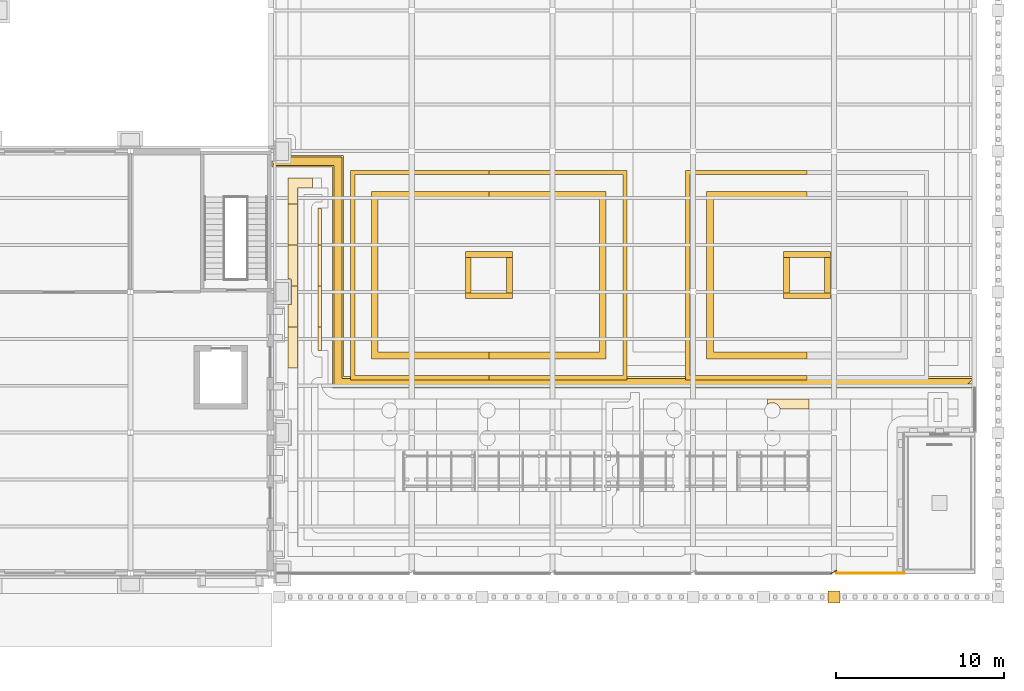
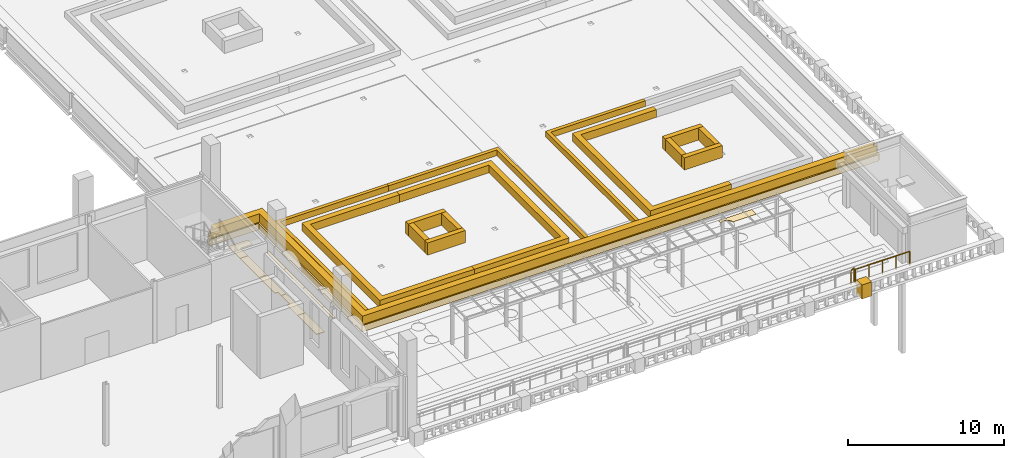
# One storey, part 72 of 76: 27 coverings, 2 railings.
"""IFC4 building model written with IfcOpenShell, lengths in metres."""

from ifc_helpers import new_model, si_unit, direction, frame, origin, origin_2d, place, context, subcontext, project, spatial, polyline, rectangle, circle, outline, extrude, material, layer, layer_set, type_object, element, save


model = new_model("IFC4")

# Units and contexts
model_context = context("Model", 3, precision=1e-05, world=origin(), true_north=direction((0.0, 1.0)))
body_context = subcontext(model_context, "Body", "Model", "MODEL_VIEW")
ifc_project = project(units=[si_unit("LENGTHUNIT", "METRE"), si_unit("AREAUNIT", "SQUARE_METRE"), si_unit("VOLUMEUNIT", "CUBIC_METRE"), si_unit("PLANEANGLEUNIT", "RADIAN"), si_unit("MASSUNIT", "GRAM", prefix="KILO")], contexts=[model_context])

# Site, building, storey
site_placement = place(None, origin())
site = spatial("IfcSite", under=ifc_project, at=site_placement, CompositionType="ELEMENT")
building_placement = place(site_placement, origin())
building = spatial("IfcBuilding", under=site, at=building_placement, Name="Sava Quay Ferry Terminal", CompositionType="ELEMENT")
storey_placement = place(building_placement, frame((0.0, 0.0, 6.0)))
storey = spatial("IfcBuildingStorey", under=building, at=storey_placement, Name="L01", CompositionType="ELEMENT", Elevation=6.0)

# Coverings
ifc_material_1 = material(Name="Limestone Mutalj", Category="masonry")
ifc_layer_1 = layer(ifc_material_1, 0.699951171875)
ifc_layer_set_1 = layer_set([ifc_layer_1], Name="Limestone Mutalj")
covering_type_1 = type_object("IfcCoveringType", Name="Balustrade pier 700", PredefinedType="MOLDING", material=ifc_layer_set_1)
covering_1_placement = place(storey_placement, frame((159.60009765625, 23.7900390625, 0.0), z_axis=(0.0, 0.0, 1.0), x_axis=(1.0, 0.0, 0.0)))
element("IfcCovering", 1, at=covering_1_placement, inside=storey, type_object=covering_type_1, Name="Balustrade pier", PredefinedType="MOLDING", context=body_context, shape_type="SweptSolid", body=[
    extrude(rectangle(XDim=0.699951171875, YDim=0.699951171875, at=origin_2d()), origin(), (0.0, 0.0, 1.0), 1.10009765625),
])
ifc_material_2 = material(Name="Foliage clipped hedge")
ifc_layer_2 = layer(ifc_material_2, 0.39990234375)
ifc_layer_set_2 = layer_set([ifc_layer_2], Name="Foliage clipped hedge")
covering_type_2 = type_object("IfcCoveringType", Name="Box hedge 400 from the slab", PredefinedType="CLADDING", material=ifc_layer_set_2)
covering_2_placement = place(storey_placement, origin())
element("IfcCovering", 2, at=covering_2_placement, inside=storey, type_object=covering_type_2, Name="Box hedge", PredefinedType="CLADDING", context=body_context, shape_type="SweptSolid", body=[
    extrude(outline(polyline([(132.0, 38.0), (139.0, 38.0), (139.0, 38.39990234375), (132.39990234375, 38.39990234375), (132.39990234375, 47.60009765625), (139.0, 47.60009765625), (139.0, 48.0), (132.0, 48.0), (132.0, 38.0)])), origin(), (0.0, 0.0, 1.0), 0.60009765625),
])
covering_3_placement = place(storey_placement, origin())
element("IfcCovering", 3, at=covering_3_placement, inside=storey, type_object=covering_type_2, Name="Box hedge", PredefinedType="CLADDING", context=body_context, shape_type="SweptSolid", body=[
    extrude(outline(polyline([(146.0, 38.0), (146.0, 48.0), (139.0, 48.0), (139.0, 47.60009765625), (145.60009765625, 47.60009765625), (145.60009765625, 38.39990234375), (139.0, 38.39990234375), (139.0, 38.0), (146.0, 38.0)])), origin(), (0.0, 0.0, 1.0), 0.60009765625),
])
covering_4_placement = place(storey_placement, origin())
element("IfcCovering", 4, at=covering_4_placement, inside=storey, type_object=covering_type_2, Name="Box hedge", PredefinedType="CLADDING", context=body_context, shape_type="SweptSolid", body=[
    extrude(outline(polyline([(152.0, 38.0), (158.0, 38.0), (158.0, 38.39990234375), (152.39990234375, 38.39990234375), (152.39990234375, 47.60009765625), (158.0, 47.60009765625), (158.0, 48.0), (152.0, 48.0), (152.0, 38.0)])), origin(), (0.0, 0.0, 1.0), 0.60009765625),
])
ifc_material_3 = material(Name="Limestone Mutalj", Category="masonry")
ifc_layer_3 = layer(ifc_material_3, 0.030029296875)
ifc_layer_set_3 = layer_set([ifc_layer_3], Name="Limestone Mutalj")
covering_type_3 = type_object("IfcCoveringType", Name="Court paving tile 30", PredefinedType="FLOORING", material=ifc_layer_set_3)
covering_5_placement = place(storey_placement, origin())
element("IfcCovering", 5, at=covering_5_placement, inside=storey, type_object=covering_type_3, Name="Limestone paving tile", PredefinedType="FLOORING", context=body_context, shape_type="SweptSolid", body=[
    extrude(outline(polyline([(127.590087890625, 42.35009765625), (127.2099609375, 42.35009765625), (127.2099609375, 41.248046875), (127.2060546875, 41.241943359375), (127.199951171875, 41.239990234375), (127.0, 41.239990234375), (127.0, 39.89990234375), (127.590087890625, 39.89990234375), (127.590087890625, 42.35009765625)])), origin(), (0.0, 0.0, 1.0), 0.030029296875),
])
covering_6_placement = place(storey_placement, origin())
element("IfcCovering", 6, at=covering_6_placement, inside=storey, type_object=covering_type_3, Name="Limestone paving tile", PredefinedType="FLOORING", context=body_context, shape_type="SweptSolid", body=[
    extrude(outline(polyline([(127.590087890625, 47.25), (127.0, 47.25), (127.0, 44.800048828125), (127.590087890625, 44.800048828125), (127.590087890625, 47.25)])), origin(), (0.0, 0.0, 1.0), 0.030029296875),
])
covering_7_placement = place(storey_placement, origin())
element("IfcCovering", 7, at=covering_7_placement, inside=storey, type_object=covering_type_3, Name="Limestone paving tile", PredefinedType="FLOORING", context=body_context, shape_type="SweptSolid", body=[
    extrude(outline(polyline([(129.0, 39.89990234375), (128.81005859375, 39.89990234375), (128.81005859375, 38.510009765625), (129.0, 38.510009765625), (129.0, 39.89990234375)])), origin(), (0.0, 0.0, 1.0), 0.030029296875),
])
covering_8_placement = place(storey_placement, origin())
element("IfcCovering", 8, at=covering_8_placement, inside=storey, type_object=covering_type_3, Name="Limestone paving tile", PredefinedType="FLOORING", context=body_context, shape_type="SweptSolid", body=[
    extrude(outline(polyline([(129.0, 44.800048828125), (128.81005859375, 44.800048828125), (128.81005859375, 42.35009765625), (129.0, 42.35009765625), (129.0, 44.800048828125)])), origin(), (0.0, 0.0, 1.0), 0.030029296875),
])
covering_9_placement = place(storey_placement, origin())
element("IfcCovering", 9, at=covering_9_placement, inside=storey, type_object=covering_type_3, Name="Limestone paving tile", PredefinedType="FLOORING", context=body_context, shape_type="SweptSolid", body=[
    extrude(outline(polyline([(158.117919921875, 35.0), (158.117919921875, 35.60009765625), (155.64697265625, 35.60009765625), (155.64697265625, 35.291015625), (155.669921875, 35.30810546875), (155.7080078125, 35.330078125), (155.7490234375, 35.35009765625), (155.7919921875, 35.364990234375), (155.8349609375, 35.3759765625), (155.87890625, 35.383056640625), (155.925048828125, 35.385009765625), (155.970947265625, 35.383056640625), (156.014892578125, 35.3759765625), (156.05810546875, 35.364990234375), (156.10107421875, 35.35009765625), (156.14208984375, 35.330078125), (156.180908203125, 35.306884765625), (156.216064453125, 35.281005859375), (156.25, 35.2509765625), (156.281005859375, 35.216064453125), (156.306884765625, 35.180908203125), (156.330078125, 35.14208984375), (156.35009765625, 35.10107421875), (156.364990234375, 35.05810546875), (156.3759765625, 35.014892578125), (156.3779296875, 35.0), (158.117919921875, 35.0)])), origin(), (0.0, 0.0, 1.0), 0.030029296875),
])
ifc_material_4 = material(Name="Red sandstone Vrsac", Category="masonry")
ifc_layer_4 = layer(ifc_material_4, 0.030029296875)
ifc_layer_set_4 = layer_set([ifc_layer_4], Name="Red sandstone Vrsac")
covering_type_4 = type_object("IfcCoveringType", Name="Court paving tile sandstone 30", PredefinedType="FLOORING", material=ifc_layer_set_4)
covering_10_placement = place(storey_placement, origin())
element("IfcCovering", 10, at=covering_10_placement, inside=storey, type_object=covering_type_4, Name="Sandstone paving tile", PredefinedType="FLOORING", context=body_context, shape_type="SweptSolid", body=[
    extrude(outline(polyline([(127.590087890625, 39.89990234375), (127.0, 39.89990234375), (127.0, 37.449951171875), (127.590087890625, 37.449951171875), (127.590087890625, 39.89990234375)])), origin(), (0.0, 0.0, 1.0), 0.030029296875),
])
covering_11_placement = place(storey_placement, origin())
element("IfcCovering", 11, at=covering_11_placement, inside=storey, type_object=covering_type_4, Name="Sandstone paving tile", PredefinedType="FLOORING", context=body_context, shape_type="SweptSolid", body=[
    extrude(outline(polyline([(127.590087890625, 44.800048828125), (127.0, 44.800048828125), (127.0, 42.760009765625), (127.199951171875, 42.760009765625), (127.2060546875, 42.758056640625), (127.208984375, 42.7548828125), (127.2099609375, 42.75), (127.2099609375, 42.35009765625), (127.590087890625, 42.35009765625), (127.590087890625, 44.800048828125)])), origin(), (0.0, 0.0, 1.0), 0.030029296875),
])
covering_12_placement = place(storey_placement, origin())
element("IfcCovering", 12, at=covering_12_placement, inside=storey, type_object=covering_type_4, Name="Sandstone paving tile", PredefinedType="FLOORING", context=body_context, shape_type="SweptSolid", body=[
    extrude(outline(polyline([(128.470947265625, 48.2099609375), (128.470947265625, 48.800048828125), (127.0, 48.800048828125), (127.0, 47.25), (127.590087890625, 47.25), (127.590087890625, 48.199951171875), (127.591064453125, 48.205078125), (127.593994140625, 48.2080078125), (127.60009765625, 48.2099609375), (128.470947265625, 48.2099609375)])), origin(), (0.0, 0.0, 1.0), 0.030029296875),
])
covering_13_placement = place(storey_placement, origin())
element("IfcCovering", 13, at=covering_13_placement, inside=storey, type_object=covering_type_4, Name="Sandstone paving tile", PredefinedType="FLOORING", context=body_context, shape_type="SweptSolid", body=[
    extrude(outline(polyline([(129.0, 42.35009765625), (128.81005859375, 42.35009765625), (128.81005859375, 39.89990234375), (129.0, 39.89990234375), (129.0, 42.35009765625)])), origin(), (0.0, 0.0, 1.0), 0.030029296875),
])
covering_14_placement = place(storey_placement, origin())
element("IfcCovering", 14, at=covering_14_placement, inside=storey, type_object=covering_type_4, Name="Sandstone paving tile", PredefinedType="FLOORING", context=body_context, shape_type="SweptSolid", body=[
    extrude(outline(polyline([(128.81005859375, 44.800048828125), (129.0, 44.800048828125), (129.0, 46.989990234375), (128.81005859375, 46.989990234375), (128.81005859375, 44.800048828125)])), origin(), (0.0, 0.0, 1.0), 0.030029296875),
])

# Railings
ifc_material_5 = material(Name="Steel S355", Category="steel")
railing_type = type_object("IfcRailingType", Name="Edge guard 1100", PredefinedType="GUARDRAIL", material=ifc_material_5)
railing_1_placement = place(storey_placement, frame((159.760009765625, 25.3701171875, 0.0)))
element("IfcRailing", 15, at=railing_1_placement, inside=storey, type_object=railing_type, Name="Terrace edge guard", PredefinedType="GUARDRAIL", context=body_context, shape_type="SweptSolid", body=[
    extrude(circle(Radius=0.02392578125, at=origin_2d()), frame((0.0, 0.0, 1.076171875), z_axis=(-0.882967432059, -0.469434248776, 0.0), x_axis=(0.469434248776, -0.882967432059, 0.0)), (0.0, 0.0, 1.0), 0.362548828125),
    extrude(circle(Radius=0.02099609375, at=origin_2d()), origin(), (0.0, 0.0, 1.0), 1.052001953125),
    extrude(circle(Radius=0.02099609375, at=origin_2d()), frame((-0.320068359375, -0.170166015625, 0.0)), (0.0, 0.0, 1.0), 1.052001953125),
])
railing_2_placement = place(storey_placement, frame((163.800048828125, 25.199951171875, 0.0)))
element("IfcRailing", 16, at=railing_2_placement, inside=storey, type_object=railing_type, Name="Terrace edge guard", PredefinedType="GUARDRAIL", context=body_context, shape_type="SweptSolid", body=[
    extrude(circle(Radius=0.02392578125, at=origin_2d()), frame((0.0, 0.0, 1.076171875), z_axis=(-1.0, 0.0, 0.0), x_axis=(0.0, -1.0, 0.0)), (0.0, 0.0, 1.0), 4.0400390625),
    extrude(circle(Radius=0.02099609375, at=origin_2d()), origin(), (0.0, 0.0, 1.0), 1.052001953125),
    extrude(circle(Radius=0.02099609375, at=origin_2d()), frame((-1.010009765625, 0.0, 0.0)), (0.0, 0.0, 1.0), 1.052001953125),
    extrude(circle(Radius=0.02099609375, at=origin_2d()), frame((-2.02001953125, 0.0, 0.0)), (0.0, 0.0, 1.0), 1.052001953125),
    extrude(circle(Radius=0.02099609375, at=origin_2d()), frame((-3.030029296875, 0.0, 0.0)), (0.0, 0.0, 1.0), 1.052001953125),
    extrude(circle(Radius=0.02099609375, at=origin_2d()), frame((-4.0400390625, 0.0, 0.0)), (0.0, 0.0, 1.0), 1.052001953125),
])

# Coverings
ifc_material_6 = material(Name="Foliage clipped hedge")
ifc_layer_5 = layer(ifc_material_6, 0.47998046875)
ifc_layer_set_5 = layer_set([ifc_layer_5], Name="Foliage clipped hedge")
covering_type_5 = type_object("IfcCoveringType", Name="Green roof planter hedge 480", PredefinedType="CLADDING", material=ifc_layer_set_5)
covering_15_placement = place(storey_placement, frame((0.0, 0.0, 0.5)))
element("IfcCovering", 17, at=covering_15_placement, inside=storey, type_object=covering_type_5, Name="Green roof planter hedge", PredefinedType="CLADDING", context=body_context, shape_type="SweptSolid", body=[
    extrude(outline(polyline([(126.14990234375, 49.699951171875), (126.14990234375, 49.56005859375), (129.760009765625, 49.56005859375), (129.760009765625, 36.360107421875), (167.826904296875, 36.360107421875), (167.844970703125, 36.386962890625), (167.85791015625, 36.402099609375), (167.873046875, 36.4150390625), (167.90087890625, 36.43408203125), (167.90087890625, 36.5048828125), (167.593994140625, 36.5048828125), (167.89990234375, 36.81103515625), (167.89990234375, 36.840087890625), (130.239990234375, 36.840087890625), (130.239990234375, 50.0400390625), (126.449951171875, 50.0400390625), (126.449951171875, 49.699951171875), (126.14990234375, 49.699951171875)])), origin(), (0.0, 0.0, 1.0), 0.64990234375),
])
ifc_material_7 = material(Name="Limestone Mutalj", Category="masonry")
ifc_layer_6 = layer(ifc_material_7, 0.679931640625)
ifc_layer_set_6 = layer_set([ifc_layer_6], Name="Limestone Mutalj")
covering_type_6 = type_object("IfcCoveringType", Name="Green roof planter wall 680", PredefinedType="CLADDING", material=ifc_layer_set_6)
covering_16_placement = place(storey_placement, origin())
element("IfcCovering", 18, at=covering_16_placement, inside=storey, type_object=covering_type_6, Name="Green roof planter wall", PredefinedType="CLADDING", context=body_context, shape_type="SweptSolid", body=[
    extrude(outline(polyline([(130.340087890625, 50.139892578125), (126.35009765625, 50.139892578125), (126.35009765625, 49.800048828125), (126.10009765625, 49.800048828125), (126.10009765625, 49.804931640625), (126.050048828125, 49.804931640625), (126.050048828125, 49.4599609375), (129.659912109375, 49.4599609375), (129.659912109375, 36.260009765625), (167.89990234375, 36.260009765625), (167.902099609375, 36.280029296875), (167.907958984375, 36.298095703125), (167.9169921875, 36.31591796875), (167.928955078125, 36.3310546875), (167.944091796875, 36.343017578125), (167.9619140625, 36.35205078125), (167.97998046875, 36.35791015625), (168.0009765625, 36.360107421875), (168.0009765625, 36.60498046875), (167.8349609375, 36.60498046875), (168.0, 36.77001953125), (168.0, 36.93994140625), (130.340087890625, 36.93994140625), (130.340087890625, 50.139892578125)])), origin(), (0.0, 0.0, 1.0), 0.5),
])
ifc_material_8 = material(Name="Limestone Mutalj", Category="masonry")
ifc_layer_7 = layer(ifc_material_8, 0.25)
ifc_layer_set_7 = layer_set([ifc_layer_7], Name="Limestone Mutalj")
covering_type_7 = type_object("IfcCoveringType", Name="Planter kerb 250", PredefinedType="CLADDING", material=ifc_layer_set_7)
covering_17_placement = place(storey_placement, origin())
element("IfcCovering", 19, at=covering_17_placement, inside=storey, type_object=covering_type_7, Name="Planter kerb", PredefinedType="CLADDING", context=body_context, shape_type="SweptSolid", body=[
    extrude(outline(polyline([(130.75, 49.25), (130.75, 36.75), (139.0, 36.75), (139.0, 37.0), (131.0, 37.0), (131.0, 49.0), (139.0, 49.0), (139.0, 49.25), (130.75, 49.25)])), origin(), (0.0, 0.0, 1.0), 0.449951171875),
])
covering_18_placement = place(storey_placement, origin())
element("IfcCovering", 20, at=covering_18_placement, inside=storey, type_object=covering_type_7, Name="Planter kerb", PredefinedType="CLADDING", context=body_context, shape_type="SweptSolid", body=[
    extrude(outline(polyline([(147.25, 49.25), (139.0, 49.25), (139.0, 49.0), (147.0, 49.0), (147.0, 37.0), (139.0, 37.0), (139.0, 36.75), (147.25, 36.75), (147.25, 49.25)])), origin(), (0.0, 0.0, 1.0), 0.449951171875),
])
covering_19_placement = place(storey_placement, origin())
element("IfcCovering", 21, at=covering_19_placement, inside=storey, type_object=covering_type_7, Name="Planter kerb", PredefinedType="CLADDING", context=body_context, shape_type="SweptSolid", body=[
    extrude(outline(polyline([(150.75, 49.25), (150.75, 36.75), (158.0, 36.75), (158.0, 37.0), (151.0, 37.0), (151.0, 49.0), (158.0, 49.0), (158.0, 49.25), (150.75, 49.25)])), origin(), (0.0, 0.0, 1.0), 0.449951171875),
])
ifc_material_9 = material(Name="Limestone Mutalj", Category="masonry")
ifc_layer_8 = layer(ifc_material_9, 0.35009765625)
ifc_layer_set_8 = layer_set([ifc_layer_8], Name="Limestone Mutalj")
covering_type_8 = type_object("IfcCoveringType", Name="Tree pit kerb 350", PredefinedType="CLADDING", material=ifc_layer_set_8)
for number, where, z_axis, x_axis, name in (
    (22, (139.0, 44.22509765625, 0.0), (0.0, 0.0, 1.0), (1.0, 0.0, 0.0), "Tree pit kerb"),
    (23, (139.0, 41.77490234375, 0.0), (0.0, 0.0, 1.0), (1.0, 0.0, 0.0), "Tree pit kerb"),
):
    element("IfcCovering", number, at=place(storey_placement, frame(where, z_axis=z_axis, x_axis=x_axis)), inside=storey, type_object=covering_type_8, Name=name, PredefinedType="CLADDING", context=body_context, shape_type="SweptSolid", body=[
        extrude(rectangle(XDim=2.800048828125, YDim=0.35009765625, at=origin_2d()), origin(), (0.0, 0.0, 1.0), 0.949951171875),
    ])
for number, where, z_axis, x_axis, name in (
    (24, (140.22509765625, 43.0, 0.0), (0.0, 0.0, 1.0), (1.0, 0.0, 0.0), "Tree pit kerb"),
    (25, (137.77490234375, 43.0, 0.0), (0.0, 0.0, 1.0), (1.0, 0.0, 0.0), "Tree pit kerb"),
):
    element("IfcCovering", number, at=place(storey_placement, frame(where, z_axis=z_axis, x_axis=x_axis)), inside=storey, type_object=covering_type_8, Name=name, PredefinedType="CLADDING", context=body_context, shape_type="SweptSolid", body=[
        extrude(rectangle(XDim=0.35009765625, YDim=2.10009765625, at=origin_2d()), origin(), (0.0, 0.0, 1.0), 0.949951171875),
    ])
for number, where, z_axis, x_axis, name in (
    (26, (158.0, 44.22509765625, 0.0), (0.0, 0.0, 1.0), (1.0, 0.0, 0.0), "Tree pit kerb"),
    (27, (158.0, 41.77490234375, 0.0), (0.0, 0.0, 1.0), (1.0, 0.0, 0.0), "Tree pit kerb"),
):
    element("IfcCovering", number, at=place(storey_placement, frame(where, z_axis=z_axis, x_axis=x_axis)), inside=storey, type_object=covering_type_8, Name=name, PredefinedType="CLADDING", context=body_context, shape_type="SweptSolid", body=[
        extrude(rectangle(XDim=2.800048828125, YDim=0.35009765625, at=origin_2d()), origin(), (0.0, 0.0, 1.0), 0.949951171875),
    ])
for number, where, z_axis, x_axis, name in (
    (28, (159.22509765625, 43.0, 0.0), (0.0, 0.0, 1.0), (1.0, 0.0, 0.0), "Tree pit kerb"),
    (29, (156.77490234375, 43.0, 0.0), (0.0, 0.0, 1.0), (1.0, 0.0, 0.0), "Tree pit kerb"),
):
    element("IfcCovering", number, at=place(storey_placement, frame(where, z_axis=z_axis, x_axis=x_axis)), inside=storey, type_object=covering_type_8, Name=name, PredefinedType="CLADDING", context=body_context, shape_type="SweptSolid", body=[
        extrude(rectangle(XDim=0.35009765625, YDim=2.10009765625, at=origin_2d()), origin(), (0.0, 0.0, 1.0), 0.949951171875),
    ])

save(model, "model.ifc")
